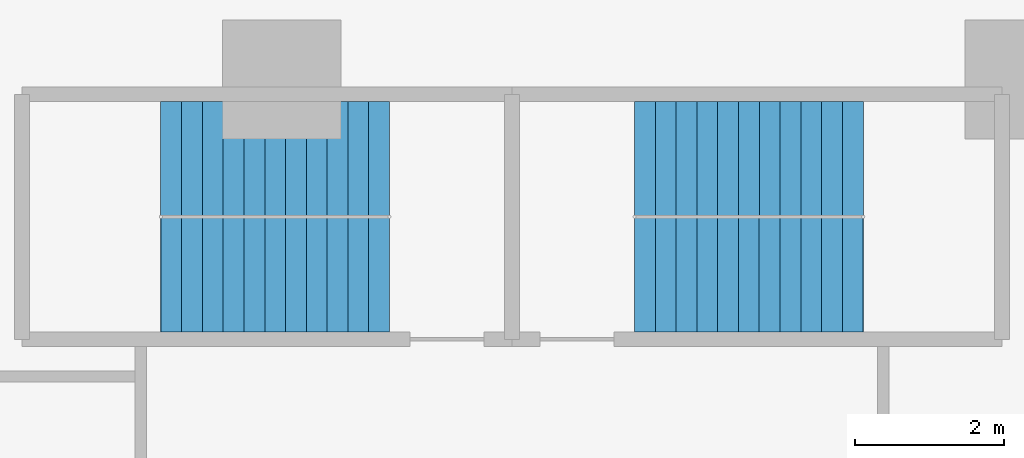
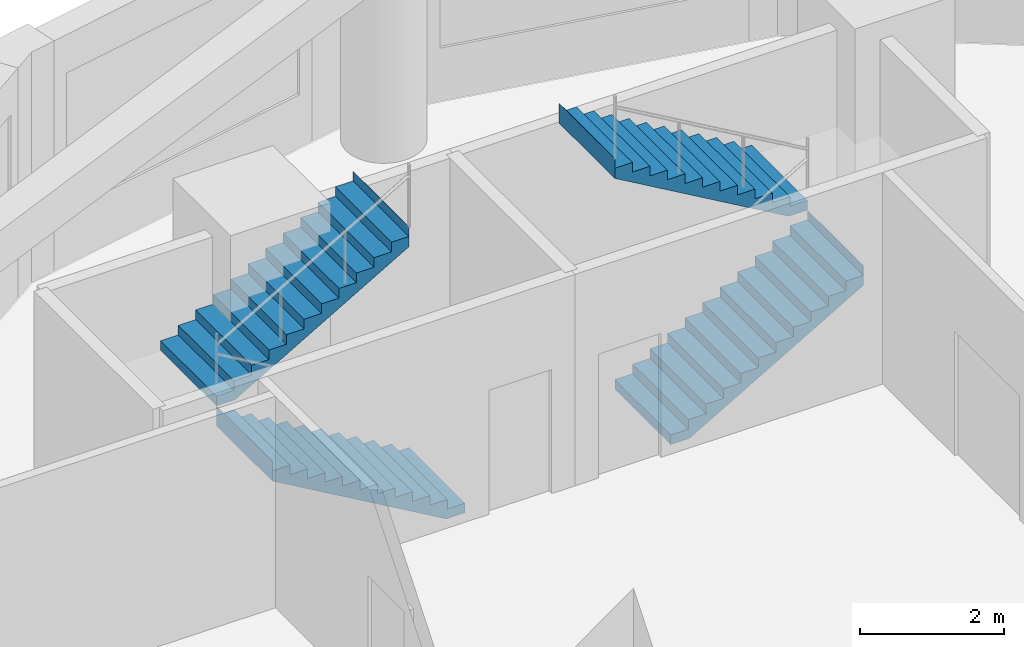
# One storey, part 8 of 10: 4 stair flights, 2 elements without a shape of their own.
"""IFC4 building model written with IfcOpenShell, lengths in metres."""

from ifc_helpers import new_model, si_unit, direction, frame, origin, place, context, subcontext, project, spatial, polyline, outline, extrude, material, type_object, element, aggregate, save


model = new_model("IFC4")

# Units and contexts
model_context = context("Model", 3, precision=1e-05, world=origin(), true_north=direction((0.0, 1.0)))
body_context = subcontext(model_context, "Body", "Model", "MODEL_VIEW")
ifc_project = project(units=[si_unit("LENGTHUNIT", "METRE"), si_unit("AREAUNIT", "SQUARE_METRE"), si_unit("VOLUMEUNIT", "CUBIC_METRE"), si_unit("PLANEANGLEUNIT", "RADIAN"), si_unit("MASSUNIT", "GRAM", prefix="KILO")], contexts=[model_context])

# Site, building, storey
site_placement = place(None, origin())
site = spatial("IfcSite", under=ifc_project, at=site_placement, CompositionType="ELEMENT")
building_placement = place(site_placement, origin())
building = spatial("IfcBuilding", under=site, at=building_placement, Name="Qaws Garden Tower", CompositionType="ELEMENT")
storey_placement = place(building_placement, frame((0.0, 0.0, 15.89990234375)))
storey = spatial("IfcBuildingStorey", under=building, at=storey_placement, Name="L03", CompositionType="ELEMENT", Elevation=15.89990234375)

# Stair, stair flights
ifc_material_1 = material(Name="Concrete C40", Category="concrete")
stair_type = type_object("IfcStairType", Name="Exit stair 1350", PredefinedType="HALF_TURN_STAIR", material=ifc_material_1)
placement = place(storey_placement, origin())
stair_1 = element("IfcStair", 1, at=placement, inside=storey, type_object=stair_type, Name="Stair 6", PredefinedType="HALF_TURN_STAIR")
ifc_material_2 = material(Name="Concrete C40", Category="concrete")
stair_flight_type = type_object("IfcStairFlightType", Name="Stair flight 1350", PredefinedType="STRAIGHT", material=ifc_material_2)
stair_flight_1_placement = place(storey_placement, frame((11.449951171875, 67.375, 0.0), z_axis=(0.0, 0.0, 1.0), x_axis=(-1.0, 0.0, 0.0)))
stair_flight_1 = element("IfcStairFlight", 2, at=stair_flight_1_placement, type_object=stair_flight_type, Name="ST6 flight 1", NumberOfRisers=12, NumberOfTreads=11, PredefinedType="STRAIGHT", RiserHeight=0.1625, TreadLength=0.28, context=body_context, shape_type="SweptSolid", body=[
    extrude(outline(polyline([(-0.0029296875, 0.0), (-0.0029296875, 0.16259765625), (0.0, 0.16259765625), (0.280029296875, 0.16259765625), (0.280029296875, 0.324951171875), (0.56005859375, 0.324951171875), (0.56005859375, 0.487548828125), (0.840087890625, 0.487548828125), (0.840087890625, 0.64990234375), (1.1201171875, 0.64990234375), (1.1201171875, 0.8125), (1.39990234375, 0.8125), (1.39990234375, 0.97509765625), (1.679931640625, 0.97509765625), (1.679931640625, 1.137451171875), (1.9599609375, 1.137451171875), (1.9599609375, 1.300048828125), (2.239990234375, 1.300048828125), (2.239990234375, 1.46240234375), (2.52001953125, 1.46240234375), (2.52001953125, 1.625), (2.800048828125, 1.625), (2.800048828125, 1.78759765625), (3.080078125, 1.78759765625), (3.080078125, 1.949951171875), (3.0830078125, 1.949951171875), (3.0830078125, 1.6142578125), (3.080078125, 1.6142578125), (0.298583984375, 0.0), (-0.0029296875, 0.0)])), frame((0.0, 0.77490234375, 0.0), z_axis=(0.0, -1.0, 0.0), x_axis=(1.0, 0.0, 0.0)), (0.0, 0.0, 1.0), 1.550048828125),
])
stair_flight_2_placement = place(storey_placement, frame((8.3701171875, 68.925048828125, 1.9501953125), z_axis=(0.0, 0.0, 1.0), x_axis=(1.0, 0.0, 0.0)))
stair_flight_2 = element("IfcStairFlight", 3, at=stair_flight_2_placement, type_object=stair_flight_type, Name="ST6 flight 2", NumberOfRisers=12, NumberOfTreads=11, PredefinedType="STRAIGHT", RiserHeight=0.1625, TreadLength=0.28, context=body_context, shape_type="SweptSolid", body=[
    extrude(outline(polyline([(-0.0029296875, 0.0), (-0.0029296875, 0.16259765625), (0.0, 0.16259765625), (0.280029296875, 0.16259765625), (0.280029296875, 0.324951171875), (0.56005859375, 0.324951171875), (0.56005859375, 0.487548828125), (0.840087890625, 0.487548828125), (0.840087890625, 0.64990234375), (1.1201171875, 0.64990234375), (1.1201171875, 0.8125), (1.39990234375, 0.8125), (1.39990234375, 0.97509765625), (1.679931640625, 0.97509765625), (1.679931640625, 1.137451171875), (1.9599609375, 1.137451171875), (1.9599609375, 1.300048828125), (2.239990234375, 1.300048828125), (2.239990234375, 1.46240234375), (2.52001953125, 1.46240234375), (2.52001953125, 1.625), (2.800048828125, 1.625), (2.800048828125, 1.78759765625), (3.080078125, 1.78759765625), (3.080078125, 1.949951171875), (3.0830078125, 1.949951171875), (3.0830078125, 1.6142578125), (3.080078125, 1.6142578125), (0.298583984375, 0.0), (-0.0029296875, 0.0)])), frame((0.0, 0.77490234375, 0.0), z_axis=(0.0, -1.0, 0.0), x_axis=(1.0, 0.0, 0.0)), (0.0, 0.0, 1.0), 1.550048828125),
])
aggregate(stair_1, [stair_flight_1, stair_flight_2])

stair_2 = element("IfcStair", 4, at=placement, inside=storey, type_object=stair_type, Name="Stair 7", PredefinedType="HALF_TURN_STAIR")
stair_flight_3_placement = place(storey_placement, frame((14.75, 67.375, 0.0), z_axis=(0.0, 0.0, 1.0), x_axis=(1.0, 0.0, 0.0)))
stair_flight_3 = element("IfcStairFlight", 5, at=stair_flight_3_placement, type_object=stair_flight_type, Name="ST7 flight 1", NumberOfRisers=12, NumberOfTreads=11, PredefinedType="STRAIGHT", RiserHeight=0.1625, TreadLength=0.28, context=body_context, shape_type="SweptSolid", body=[
    extrude(outline(polyline([(-0.0029296875, 0.0), (-0.0029296875, 0.16259765625), (0.0, 0.16259765625), (0.280029296875, 0.16259765625), (0.280029296875, 0.324951171875), (0.56005859375, 0.324951171875), (0.56005859375, 0.487548828125), (0.840087890625, 0.487548828125), (0.840087890625, 0.64990234375), (1.1201171875, 0.64990234375), (1.1201171875, 0.8125), (1.39990234375, 0.8125), (1.39990234375, 0.97509765625), (1.679931640625, 0.97509765625), (1.679931640625, 1.137451171875), (1.9599609375, 1.137451171875), (1.9599609375, 1.300048828125), (2.239990234375, 1.300048828125), (2.239990234375, 1.46240234375), (2.52001953125, 1.46240234375), (2.52001953125, 1.625), (2.800048828125, 1.625), (2.800048828125, 1.78759765625), (3.080078125, 1.78759765625), (3.080078125, 1.949951171875), (3.0830078125, 1.949951171875), (3.0830078125, 1.6142578125), (3.080078125, 1.6142578125), (0.298583984375, 0.0), (-0.0029296875, 0.0)])), frame((0.0, 0.77490234375, 0.0), z_axis=(0.0, -1.0, 0.0), x_axis=(1.0, 0.0, 0.0)), (0.0, 0.0, 1.0), 1.550048828125),
])
stair_flight_4_placement = place(storey_placement, frame((17.830078125, 68.925048828125, 1.9501953125), z_axis=(0.0, 0.0, 1.0), x_axis=(-1.0, 0.0, 0.0)))
stair_flight_4 = element("IfcStairFlight", 6, at=stair_flight_4_placement, type_object=stair_flight_type, Name="ST7 flight 2", NumberOfRisers=12, NumberOfTreads=11, PredefinedType="STRAIGHT", RiserHeight=0.1625, TreadLength=0.28, context=body_context, shape_type="SweptSolid", body=[
    extrude(outline(polyline([(-0.0029296875, 0.0), (-0.0029296875, 0.16259765625), (0.0, 0.16259765625), (0.280029296875, 0.16259765625), (0.280029296875, 0.324951171875), (0.56005859375, 0.324951171875), (0.56005859375, 0.487548828125), (0.840087890625, 0.487548828125), (0.840087890625, 0.64990234375), (1.1201171875, 0.64990234375), (1.1201171875, 0.8125), (1.39990234375, 0.8125), (1.39990234375, 0.97509765625), (1.679931640625, 0.97509765625), (1.679931640625, 1.137451171875), (1.9599609375, 1.137451171875), (1.9599609375, 1.300048828125), (2.239990234375, 1.300048828125), (2.239990234375, 1.46240234375), (2.52001953125, 1.46240234375), (2.52001953125, 1.625), (2.800048828125, 1.625), (2.800048828125, 1.78759765625), (3.080078125, 1.78759765625), (3.080078125, 1.949951171875), (3.0830078125, 1.949951171875), (3.0830078125, 1.6142578125), (3.080078125, 1.6142578125), (0.298583984375, 0.0), (-0.0029296875, 0.0)])), frame((0.0, 0.77490234375, 0.0), z_axis=(0.0, -1.0, 0.0), x_axis=(1.0, 0.0, 0.0)), (0.0, 0.0, 1.0), 1.550048828125),
])
aggregate(stair_2, [stair_flight_3, stair_flight_4])

save(model, "model.ifc")
